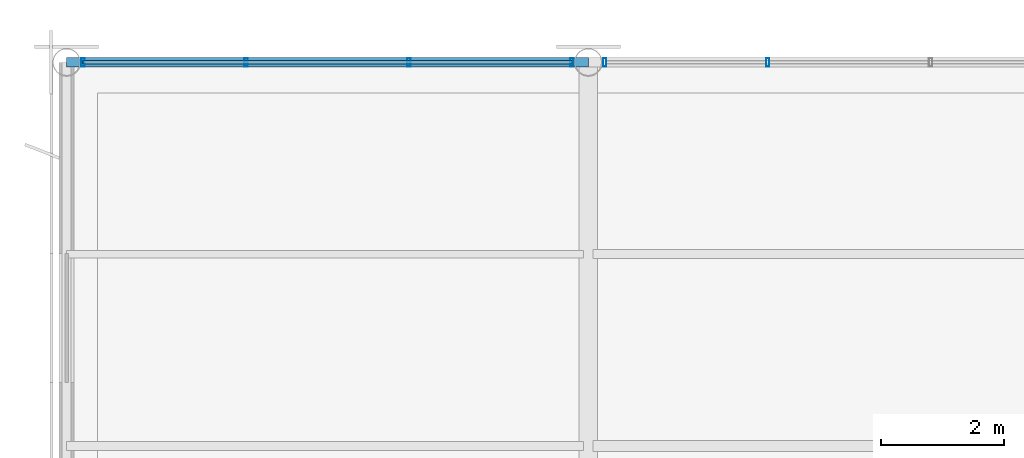
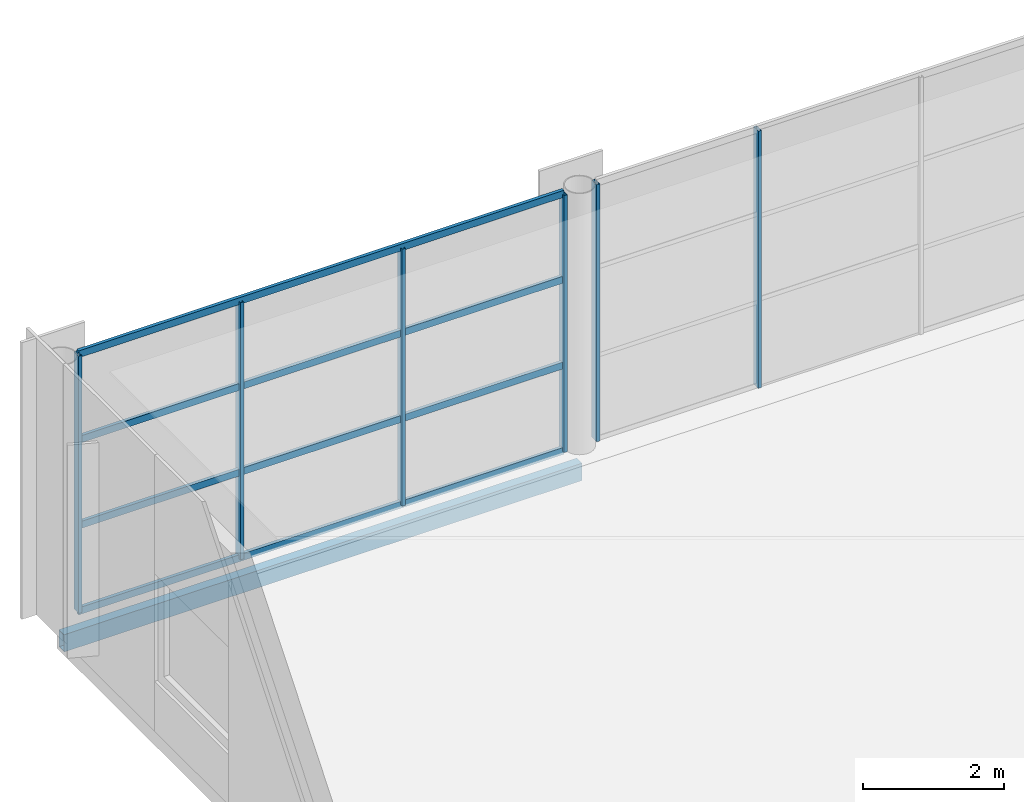
# One storey, part 42 of 101: 10 members, 1 beam, 2 elements without a shape of their own.
"""IFC4 building model written with IfcOpenShell, lengths in metres."""

from ifc_helpers import new_model, si_unit, direction, frame, origin, origin_2d, place, context, subcontext, project, spatial, hollow_rectangle, extrude, material, material_profile, profile_set, type_object, element, aggregate, save


model = new_model("IFC4")

# Units and contexts
model_context = context("Model", 3, precision=1e-05, world=origin(), true_north=direction((0.0, 1.0)))
body_context = subcontext(model_context, "Body", "Model", "MODEL_VIEW")
ifc_project = project(units=[si_unit("LENGTHUNIT", "METRE"), si_unit("AREAUNIT", "SQUARE_METRE"), si_unit("VOLUMEUNIT", "CUBIC_METRE"), si_unit("PLANEANGLEUNIT", "RADIAN"), si_unit("MASSUNIT", "GRAM", prefix="KILO")], contexts=[model_context])

# Site, building, storey
site_placement = place(None, origin())
site = spatial("IfcSite", under=ifc_project, at=site_placement, CompositionType="ELEMENT")
building_placement = place(site_placement, origin())
building = spatial("IfcBuilding", under=site, at=building_placement, Name="Solvikara Media Centre", CompositionType="ELEMENT")
storey_placement = place(building_placement, frame((0.0, 0.0, 10.199951171875)))
storey = spatial("IfcBuildingStorey", under=building, at=storey_placement, Name="L02", CompositionType="ELEMENT", Elevation=10.199951171875)

# Beam
ifc_material_1 = material(Name="Steel S355JR", Category="steel")
ifc_material_profile_1 = material_profile(ifc_material_1, hollow_rectangle(XDim=0.14990234375, YDim=0.300048828125, WallThickness=0.010009765625, at=origin_2d()), Name="RHS 300x150x10")
ifc_profile_set_1 = profile_set([ifc_material_profile_1], Name="Steel S355JR")
beam_type = type_object("IfcBeamType", Name="BM-35", PredefinedType="BEAM", material=ifc_profile_set_1)
beam_placement = place(storey_placement, frame((0.0, 114.0, -0.411865234375), z_axis=(1.0, 0.0, 0.0), x_axis=(0.0, 1.0, 0.0)))
element("IfcBeam", 1, at=beam_placement, inside=storey, type_object=beam_type, Name="B-L02-X0901", PredefinedType="BEAM", context=body_context, shape_type="SweptSolid", body=[
    extrude(hollow_rectangle(XDim=0.14990234375, YDim=0.300048828125, WallThickness=0.010009765625, at=origin_2d()), origin(), (0.0, 0.0, 1.0), 8.5),
])

# Curtain wall, members
ifc_material_2 = material(Name="Anodised aluminium EN AW-6063", Category="aluminium")
curtain_wall_type = type_object("IfcCurtainWallType", Name="CW-08", PredefinedType="NOTDEFINED", material=ifc_material_2)
curtain_wall_1_placement = place(storey_placement, origin())
curtain_wall_1 = element("IfcCurtainWall", 2, at=curtain_wall_1_placement, inside=storey, type_object=curtain_wall_type, Name="CW-L02-V3N-S1", PredefinedType="NOTDEFINED")
ifc_material_profile_2 = material_profile(ifc_material_2, hollow_rectangle(XDim=0.054931640625, YDim=0.139892578125, WallThickness=0.0029296875, at=origin_2d()), Name="ALU-M 55x140x3")
ifc_profile_set_2 = profile_set([ifc_material_profile_2], Name="Anodised aluminium EN AW-6063")
member_type_1 = type_object("IfcMemberType", Name="MF-05", PredefinedType="MULLION", material=ifc_profile_set_2)
member_1_placement = place(storey_placement, frame((0.26904296875, 114.0, 0.02001953125), z_axis=(0.0, 0.0, 1.0), x_axis=(1.0, 0.0, 0.0)))
member_1 = element("IfcMember", 3, at=member_1_placement, type_object=member_type_1, Name="CW-L02-V3N-S1-M00", PredefinedType="MULLION", context=body_context, shape_type="SweptSolid", body=[
    extrude(hollow_rectangle(XDim=0.054931640625, YDim=0.139892578125, WallThickness=0.0029296875, at=origin_2d()), origin(), (0.0, 0.0, 1.0), 4.4599609375),
])
member_2_placement = place(storey_placement, frame((2.923095703125, 114.0, 0.02001953125), z_axis=(0.0, 0.0, 1.0), x_axis=(1.0, 0.0, 0.0)))
member_2 = element("IfcMember", 4, at=member_2_placement, type_object=member_type_1, Name="CW-L02-V3N-S1-M01", PredefinedType="MULLION", context=body_context, shape_type="SweptSolid", body=[
    extrude(hollow_rectangle(XDim=0.054931640625, YDim=0.139892578125, WallThickness=0.0029296875, at=origin_2d()), origin(), (0.0, 0.0, 1.0), 4.4599609375),
])
member_3_placement = place(storey_placement, frame((5.577880859375, 114.0, 0.02001953125), z_axis=(0.0, 0.0, 1.0), x_axis=(1.0, 0.0, 0.0)))
member_3 = element("IfcMember", 5, at=member_3_placement, type_object=member_type_1, Name="CW-L02-V3N-S1-M02", PredefinedType="MULLION", context=body_context, shape_type="SweptSolid", body=[
    extrude(hollow_rectangle(XDim=0.054931640625, YDim=0.139892578125, WallThickness=0.0029296875, at=origin_2d()), origin(), (0.0, 0.0, 1.0), 4.4599609375),
])
member_4_placement = place(storey_placement, frame((8.23193359375, 114.0, 0.02001953125), z_axis=(0.0, 0.0, 1.0), x_axis=(1.0, 0.0, 0.0)))
member_4 = element("IfcMember", 6, at=member_4_placement, type_object=member_type_1, Name="CW-L02-V3N-S1-M03", PredefinedType="MULLION", context=body_context, shape_type="SweptSolid", body=[
    extrude(hollow_rectangle(XDim=0.054931640625, YDim=0.139892578125, WallThickness=0.0029296875, at=origin_2d()), origin(), (0.0, 0.0, 1.0), 4.4599609375),
])

curtain_wall_2_placement = place(storey_placement, origin())
curtain_wall_2 = element("IfcCurtainWall", 7, at=curtain_wall_2_placement, inside=storey, type_object=curtain_wall_type, Name="CW-L02-V3N-S2", PredefinedType="NOTDEFINED")
member_5_placement = place(storey_placement, frame((8.76806640625, 114.0, 0.02001953125), z_axis=(0.0, 0.0, 1.0), x_axis=(1.0, 0.0, 0.0)))
member_5 = element("IfcMember", 8, at=member_5_placement, type_object=member_type_1, Name="CW-L02-V3N-S2-M00", PredefinedType="MULLION", context=body_context, shape_type="SweptSolid", body=[
    extrude(hollow_rectangle(XDim=0.054931640625, YDim=0.139892578125, WallThickness=0.0029296875, at=origin_2d()), origin(), (0.0, 0.0, 1.0), 4.4599609375),
])
member_6_placement = place(storey_placement, frame((11.423095703125, 114.0, 0.02001953125), z_axis=(0.0, 0.0, 1.0), x_axis=(1.0, 0.0, 0.0)))
member_6 = element("IfcMember", 9, at=member_6_placement, type_object=member_type_1, Name="CW-L02-V3N-S2-M01", PredefinedType="MULLION", context=body_context, shape_type="SweptSolid", body=[
    extrude(hollow_rectangle(XDim=0.054931640625, YDim=0.139892578125, WallThickness=0.0029296875, at=origin_2d()), origin(), (0.0, 0.0, 1.0), 4.4599609375),
])
aggregate(curtain_wall_2, [member_5, member_6])

# Member
ifc_material_profile_3 = material_profile(ifc_material_2, hollow_rectangle(XDim=0.054931640625, YDim=0.1201171875, WallThickness=0.0029296875, at=origin_2d()), Name="ALU-T 55x120x3")
ifc_profile_set_3 = profile_set([ifc_material_profile_3], Name="Anodised aluminium EN AW-6063")
member_type_2 = type_object("IfcMemberType", Name="MF-11", PredefinedType="USERDEFINED", material=ifc_profile_set_3)
member_7_placement = place(storey_placement, frame((0.26904296875, 114.0, 0.02001953125), z_axis=(1.0, 0.0, 0.0), x_axis=(0.0, 1.0, 0.0)))
member_7 = element("IfcMember", 10, at=member_7_placement, type_object=member_type_2, Name="CW-L02-V3N-S1-T00", ObjectType="TRANSOM", PredefinedType="USERDEFINED", context=body_context, shape_type="SweptSolid", body=[
    extrude(hollow_rectangle(XDim=0.054931640625, YDim=0.1201171875, WallThickness=0.0029296875, at=origin_2d()), origin(), (0.0, 0.0, 1.0), 7.962890625),
])

member_8_placement = place(storey_placement, frame((0.26904296875, 114.0, 1.507080078125), z_axis=(1.0, 0.0, 0.0), x_axis=(0.0, 1.0, 0.0)))
member_8 = element("IfcMember", 11, at=member_8_placement, type_object=member_type_2, Name="CW-L02-V3N-S1-T01", ObjectType="TRANSOM", PredefinedType="USERDEFINED", context=body_context, shape_type="SweptSolid", body=[
    extrude(hollow_rectangle(XDim=0.054931640625, YDim=0.1201171875, WallThickness=0.0029296875, at=origin_2d()), origin(), (0.0, 0.0, 1.0), 7.962890625),
])

member_9_placement = place(storey_placement, frame((0.26904296875, 114.0, 2.9931640625), z_axis=(1.0, 0.0, 0.0), x_axis=(0.0, 1.0, 0.0)))
member_9 = element("IfcMember", 12, at=member_9_placement, type_object=member_type_2, Name="CW-L02-V3N-S1-T02", ObjectType="TRANSOM", PredefinedType="USERDEFINED", context=body_context, shape_type="SweptSolid", body=[
    extrude(hollow_rectangle(XDim=0.054931640625, YDim=0.1201171875, WallThickness=0.0029296875, at=origin_2d()), origin(), (0.0, 0.0, 1.0), 7.962890625),
])

member_10_placement = place(storey_placement, frame((0.26904296875, 114.0, 4.47998046875), z_axis=(1.0, 0.0, 0.0), x_axis=(0.0, 1.0, 0.0)))
member_10 = element("IfcMember", 13, at=member_10_placement, type_object=member_type_2, Name="CW-L02-V3N-S1-T03", ObjectType="TRANSOM", PredefinedType="USERDEFINED", context=body_context, shape_type="SweptSolid", body=[
    extrude(hollow_rectangle(XDim=0.054931640625, YDim=0.1201171875, WallThickness=0.0029296875, at=origin_2d()), origin(), (0.0, 0.0, 1.0), 7.962890625),
])

aggregate(curtain_wall_1, [member_1, member_2, member_3, member_4, member_7, member_8, member_9, member_10])

save(model, "model.ifc")
